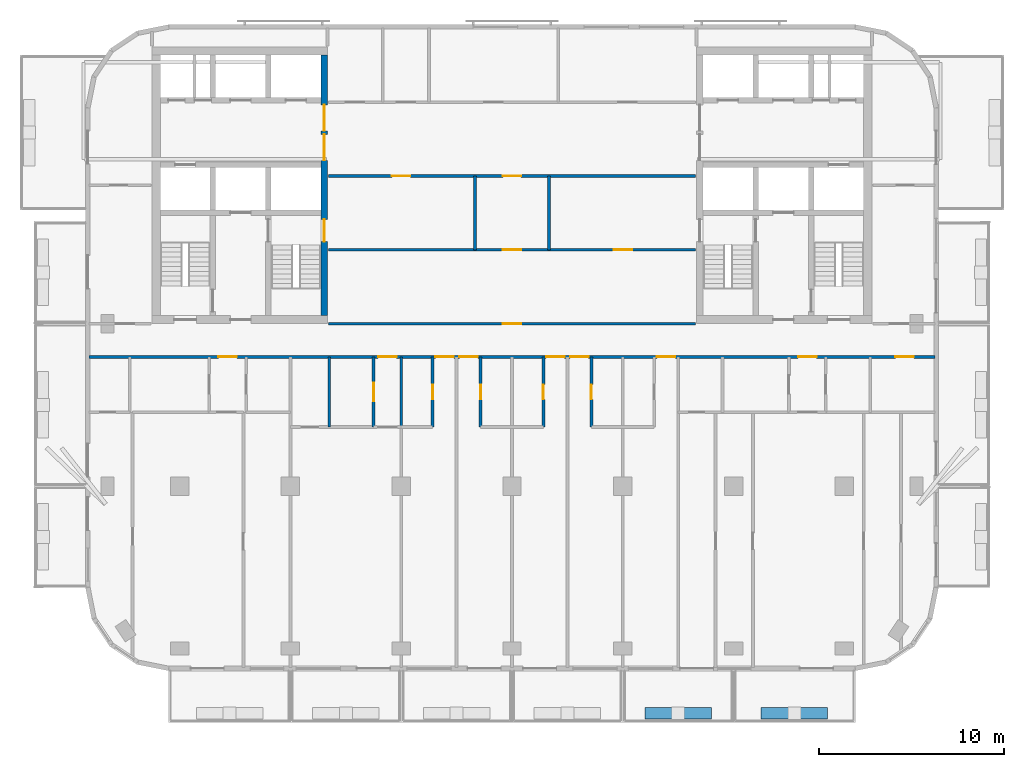
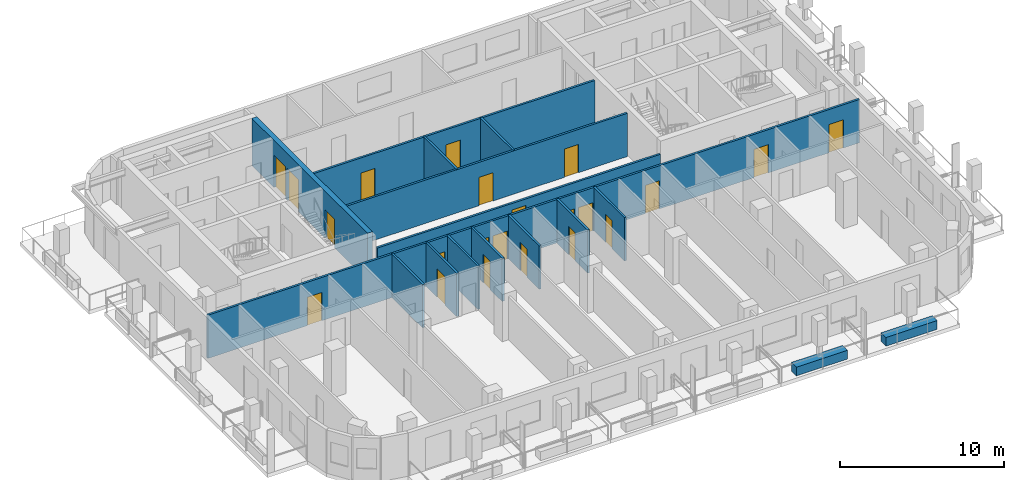
# One storey, part 4 of 11: 22 doors, 16 walls, 22 openings.
"""IFC4 building model written with IfcOpenShell, lengths in metres."""

from ifc_helpers import new_model, si_unit, direction, frame, frame_2d, origin, place, context, subcontext, project, spatial, rectangle, extrude, material, layer, layer_set, type_object, element, fill, save


model = new_model("IFC4")

# Units and contexts
model_context = context("Model", 3, precision=1e-05, world=origin(), true_north=direction((0.0, 1.0)))
body_context = subcontext(model_context, "Body", "Model", "MODEL_VIEW")
ifc_project = project(units=[si_unit("LENGTHUNIT", "METRE"), si_unit("AREAUNIT", "SQUARE_METRE"), si_unit("VOLUMEUNIT", "CUBIC_METRE"), si_unit("PLANEANGLEUNIT", "RADIAN"), si_unit("MASSUNIT", "GRAM", prefix="KILO")], contexts=[model_context])

# Site, building, storey
site_placement = place(None, origin())
site = spatial("IfcSite", under=ifc_project, at=site_placement, CompositionType="ELEMENT")
building_placement = place(site_placement, origin())
building = spatial("IfcBuilding", under=site, at=building_placement, Name="Torana Hotel and Residences", CompositionType="ELEMENT")
storey_placement = place(building_placement, frame((0.0, 0.0, 252.60009765625)))
storey = spatial("IfcBuildingStorey", under=building, at=storey_placement, Name="L66", CompositionType="ELEMENT", Elevation=252.60009765625)

# Wall, openings, doors
ifc_material_1 = material(Name="Concrete C60/75", Category="concrete")
ifc_layer_1 = layer(ifc_material_1, 0.35009765625)
ifc_layer_set_1 = layer_set([ifc_layer_1], Name="CORE WALL 350 C60/75")
wall_type_1 = type_object("IfcWallType", Name="CORE WALL 350 C60/75", PredefinedType="SHEAR", material=ifc_layer_set_1)
wall_1_placement = place(storey_placement, frame((-10.175048828125, -14.550048828125, 0.0), z_axis=(0.0, 0.0, 1.0), x_axis=(0.0, 1.0, 0.0)))
wall_1 = element("IfcWall", 1, at=wall_1_placement, inside=storey, type_object=wall_type_1, Name="Core wall W arch", PredefinedType="SHEAR", context=body_context, shape_type="SweptSolid", body=[
    extrude(rectangle(XDim=14.10009765625, YDim=0.35009765625, at=frame_2d((7.050048828125, 0.0))), origin(), (0.0, 0.0, 1.0), 3.5),
])
opening_1_placement = place(wall_1_placement, frame((8.39990234375, 0.0, 0.0)))
opening_1 = element("IfcOpeningElement", 2, at=opening_1_placement, cuts=wall_1, Name="Opening L66-01", PredefinedType="OPENING", context=body_context, shape_type="SweptSolid", body=[
    extrude(rectangle(XDim=1.39990234375, YDim=2.39990234375, at=frame_2d((0.699951171875, 1.199951171875))), frame((0.0, 0.18505859375, 0.0), z_axis=(0.0, -1.0, 0.0), x_axis=(1.0, 0.0, 0.0)), (0.0, 0.0, 1.0), 0.3701171875),
])
opening_2_placement = place(wall_1_placement, frame((10.0, 0.0, 0.0)))
opening_2 = element("IfcOpeningElement", 3, at=opening_2_placement, cuts=wall_1, Name="Opening L66-02", PredefinedType="OPENING", context=body_context, shape_type="SweptSolid", body=[
    extrude(rectangle(XDim=1.39990234375, YDim=2.39990234375, at=frame_2d((0.699951171875, 1.199951171875))), frame((0.0, 0.18505859375, 0.0), z_axis=(0.0, -1.0, 0.0), x_axis=(1.0, 0.0, 0.0)), (0.0, 0.0, 1.0), 0.3701171875),
])
opening_3_placement = place(wall_1_placement, frame((4.0, 0.0, 0.0)))
opening_3 = element("IfcOpeningElement", 4, at=opening_3_placement, cuts=wall_1, Name="Opening L66-03", PredefinedType="OPENING", context=body_context, shape_type="SweptSolid", body=[
    extrude(rectangle(XDim=1.199951171875, YDim=2.10009765625, at=frame_2d((0.60009765625, 1.050048828125))), frame((0.0, 0.18505859375, 0.0), z_axis=(0.0, -1.0, 0.0), x_axis=(1.0, 0.0, 0.0)), (0.0, 0.0, 1.0), 0.3701171875),
])
ifc_material_2 = material(Name="Steel S235", Category="steel")
door_type_1 = type_object("IfcDoorType", Name="LOBBY FIRE DOOR D4 1400x2400", OperationType="DOUBLE_DOOR_SINGLE_SWING", PredefinedType="DOOR", material=ifc_material_2)
door_1_placement = place(opening_1_placement, origin())
door_1 = element("IfcDoor", 5, at=door_1_placement, inside=storey, type_object=door_type_1, Name="Lobby-1 door L66", OperationType="DOUBLE_DOOR_SINGLE_SWING", OverallHeight=2.39990234375, OverallWidth=1.39990234375, PredefinedType="DOOR", context=body_context, shape_type="SweptSolid", body=[
    extrude(rectangle(XDim=1.39990234375, YDim=2.39990234375, at=frame_2d((0.699951171875, 1.199951171875))), frame((0.0, 0.02490234375, 0.0), z_axis=(0.0, -1.0, 0.0), x_axis=(1.0, 0.0, 0.0)), (0.0, 0.0, 1.0), 0.050048828125),
])
fill(opening_1, door_1)
door_2_placement = place(opening_2_placement, origin())
door_2 = element("IfcDoor", 6, at=door_2_placement, inside=storey, type_object=door_type_1, Name="Lobby-2 door L66", OperationType="DOUBLE_DOOR_SINGLE_SWING", OverallHeight=2.39990234375, OverallWidth=1.39990234375, PredefinedType="DOOR", context=body_context, shape_type="SweptSolid", body=[
    extrude(rectangle(XDim=1.39990234375, YDim=2.39990234375, at=frame_2d((0.699951171875, 1.199951171875))), frame((0.0, 0.02490234375, 0.0), z_axis=(0.0, -1.0, 0.0), x_axis=(1.0, 0.0, 0.0)), (0.0, 0.0, 1.0), 0.050048828125),
])
fill(opening_2, door_2)
ifc_material_3 = material(Name="Steel S235", Category="steel")
door_type_2 = type_object("IfcDoorType", Name="STAIR FIRE DOOR D3 1200x2100", OperationType="SINGLE_SWING_LEFT", PredefinedType="DOOR", material=ifc_material_3)
door_3_placement = place(opening_3_placement, origin())
door_3 = element("IfcDoor", 7, at=door_3_placement, inside=storey, type_object=door_type_2, Name="Stair-A door L66", OperationType="SINGLE_SWING_LEFT", OverallHeight=2.10009765625, OverallWidth=1.199951171875, PredefinedType="DOOR", context=body_context, shape_type="SweptSolid", body=[
    extrude(rectangle(XDim=1.199951171875, YDim=2.10009765625, at=frame_2d((0.60009765625, 1.050048828125))), frame((0.0, 0.02490234375, 0.0), z_axis=(0.0, -1.0, 0.0), x_axis=(1.0, 0.0, 0.0)), (0.0, 0.0, 1.0), 0.050048828125),
])
fill(opening_3, door_3)

# Walls
ifc_material_4 = material(Name="Gypsum plaster")
ifc_layer_2 = layer(ifc_material_4, 0.014892578125, Name="Plaster", Category="finish")
ifc_material_5 = material(Name="Concrete blockwork", Category="masonry")
ifc_layer_3 = layer(ifc_material_5, 0.1201171875, Name="Blockwork", Category="structure")
ifc_layer_4 = layer(ifc_material_4, 0.014892578125, Name="Plaster", Category="finish")
ifc_layer_set_2 = layer_set([ifc_layer_2, ifc_layer_3, ifc_layer_4], Name="FIRE PARTITION 150 BLOCKWORK")
wall_type_2 = type_object("IfcWallType", Name="FIRE PARTITION 150 BLOCKWORK", PredefinedType="PARTITIONING", material=ifc_layer_set_2)
for number, where, z_axis, x_axis, name in (
    (8, (2.0, -11.0, 0.0), (0.0, 0.0, 1.0), (0.0, 1.0, 0.0), "Partition L66"),
    (9, (-2.0, -11.0, 0.0), (0.0, 0.0, 1.0), (0.0, 1.0, 0.0), "Partition L66"),
):
    element("IfcWall", number, at=place(storey_placement, frame(where, z_axis=z_axis, x_axis=x_axis)), inside=storey, type_object=wall_type_2, Name=name, PredefinedType="PARTITIONING", context=body_context, shape_type="SweptSolid", body=[
        extrude(rectangle(XDim=4.0, YDim=0.14990234375, at=frame_2d((2.0, 0.0))), origin(), (0.0, 0.0, 1.0), 3.219970703125),
    ])
wall_2_placement = place(storey_placement, frame((-6.0, -20.60009765625, 0.0), z_axis=(0.0, 0.0, 1.0), x_axis=(0.0, 1.0, 0.0)))
element("IfcWall", 10, at=wall_2_placement, inside=storey, type_object=wall_type_2, Name="Partition L66", PredefinedType="PARTITIONING", context=body_context, shape_type="SweptSolid", body=[
    extrude(rectangle(XDim=3.800048828125, YDim=0.14990234375, at=frame_2d((1.89990234375, 0.0))), origin(), (0.0, 0.0, 1.0), 3.219970703125),
])

# Wall, opening, door
wall_3_placement = place(storey_placement, frame((-7.5, -20.60009765625, 0.0), z_axis=(0.0, 0.0, 1.0), x_axis=(0.0, 1.0, 0.0)))
wall_3 = element("IfcWall", 11, at=wall_3_placement, inside=storey, type_object=wall_type_2, Name="Partition L66", PredefinedType="PARTITIONING", context=body_context, shape_type="SweptSolid", body=[
    extrude(rectangle(XDim=3.800048828125, YDim=0.14990234375, at=frame_2d((1.89990234375, 0.0))), origin(), (0.0, 0.0, 1.0), 3.219970703125),
])
opening_4_placement = place(wall_3_placement, frame((1.39990234375, 0.0, 0.0)))
opening_4 = element("IfcOpeningElement", 12, at=opening_4_placement, cuts=wall_3, Name="Opening L66-40", PredefinedType="OPENING", context=body_context, shape_type="SweptSolid", body=[
    extrude(rectangle(XDim=1.0, YDim=2.10009765625, at=frame_2d((0.5, 1.050048828125))), frame((0.0, 0.0849609375, 0.0), z_axis=(0.0, -1.0, 0.0), x_axis=(1.0, 0.0, 0.0)), (0.0, 0.0, 1.0), 0.169921875),
])
ifc_material_6 = material(Name="Steel S235", Category="steel")
door_type_3 = type_object("IfcDoorType", Name="ENTRY FIRE DOOR D6 1000x2100", OperationType="SINGLE_SWING_LEFT", PredefinedType="DOOR", material=ifc_material_6)
door_4_placement = place(opening_4_placement, origin())
door_4 = element("IfcDoor", 13, at=door_4_placement, inside=storey, type_object=door_type_3, Name="Door L66", OperationType="SINGLE_SWING_RIGHT", OverallHeight=2.10009765625, OverallWidth=1.0, PredefinedType="DOOR", context=body_context, shape_type="SweptSolid", body=[
    extrude(rectangle(XDim=1.0, YDim=2.10009765625, at=frame_2d((0.5, 1.050048828125))), frame((0.0, 0.02490234375, 0.0), z_axis=(0.0, -1.0, 0.0), x_axis=(1.0, 0.0, 0.0)), (0.0, 0.0, 1.0), 0.050048828125),
])
fill(opening_4, door_4)

# Wall, openings, doors
wall_4_placement = place(storey_placement, frame((-22.919921875, -16.800048828125, 0.0), z_axis=(0.0, 0.0, 1.0), x_axis=(1.0, 0.0, 0.0)))
wall_4 = element("IfcWall", 14, at=wall_4_placement, inside=storey, type_object=wall_type_2, Name="Partition L66", PredefinedType="PARTITIONING", context=body_context, shape_type="SweptSolid", body=[
    extrude(rectangle(XDim=45.83984375, YDim=0.14990234375, at=frame_2d((22.919921875, 0.0))), origin(), (0.0, 0.0, 1.0), 3.219970703125),
])
opening_5_placement = place(wall_4_placement, frame((15.669921875, 0.0, 0.0)))
opening_5 = element("IfcOpeningElement", 15, at=opening_5_placement, cuts=wall_4, Name="Opening L66-20", PredefinedType="OPENING", context=body_context, shape_type="SweptSolid", body=[
    extrude(rectangle(XDim=1.0, YDim=2.10009765625, at=frame_2d((0.5, 1.050048828125))), frame((0.0, 0.0849609375, 0.0), z_axis=(0.0, -1.0, 0.0), x_axis=(1.0, 0.0, 0.0)), (0.0, 0.0, 1.0), 0.169921875),
])
opening_6_placement = place(wall_4_placement, frame((18.77001953125, 0.0, 0.0)))
opening_6 = element("IfcOpeningElement", 16, at=opening_6_placement, cuts=wall_4, Name="Opening L66-21", PredefinedType="OPENING", context=body_context, shape_type="SweptSolid", body=[
    extrude(rectangle(XDim=1.0, YDim=2.10009765625, at=frame_2d((0.5, 1.050048828125))), frame((0.0, 0.0849609375, 0.0), z_axis=(0.0, -1.0, 0.0), x_axis=(1.0, 0.0, 0.0)), (0.0, 0.0, 1.0), 0.169921875),
])
opening_7_placement = place(wall_4_placement, frame((20.070068359375, 0.0, 0.0)))
opening_7 = element("IfcOpeningElement", 17, at=opening_7_placement, cuts=wall_4, Name="Opening L66-22", PredefinedType="OPENING", context=body_context, shape_type="SweptSolid", body=[
    extrude(rectangle(XDim=1.0, YDim=2.10009765625, at=frame_2d((0.5, 1.050048828125))), frame((0.0, 0.0849609375, 0.0), z_axis=(0.0, -1.0, 0.0), x_axis=(1.0, 0.0, 0.0)), (0.0, 0.0, 1.0), 0.169921875),
])
opening_8_placement = place(wall_4_placement, frame((24.77001953125, 0.0, 0.0)))
opening_8 = element("IfcOpeningElement", 18, at=opening_8_placement, cuts=wall_4, Name="Opening L66-23", PredefinedType="OPENING", context=body_context, shape_type="SweptSolid", body=[
    extrude(rectangle(XDim=1.0, YDim=2.10009765625, at=frame_2d((0.5, 1.050048828125))), frame((0.0, 0.0849609375, 0.0), z_axis=(0.0, -1.0, 0.0), x_axis=(1.0, 0.0, 0.0)), (0.0, 0.0, 1.0), 0.169921875),
])
opening_9_placement = place(wall_4_placement, frame((26.070068359375, 0.0, 0.0)))
opening_9 = element("IfcOpeningElement", 19, at=opening_9_placement, cuts=wall_4, Name="Opening L66-24", PredefinedType="OPENING", context=body_context, shape_type="SweptSolid", body=[
    extrude(rectangle(XDim=1.0, YDim=2.10009765625, at=frame_2d((0.5, 1.050048828125))), frame((0.0, 0.0849609375, 0.0), z_axis=(0.0, -1.0, 0.0), x_axis=(1.0, 0.0, 0.0)), (0.0, 0.0, 1.0), 0.169921875),
])
opening_10_placement = place(wall_4_placement, frame((30.77001953125, 0.0, 0.0)))
opening_10 = element("IfcOpeningElement", 20, at=opening_10_placement, cuts=wall_4, Name="Opening L66-25", PredefinedType="OPENING", context=body_context, shape_type="SweptSolid", body=[
    extrude(rectangle(XDim=1.0, YDim=2.10009765625, at=frame_2d((0.5, 1.050048828125))), frame((0.0, 0.0849609375, 0.0), z_axis=(0.0, -1.0, 0.0), x_axis=(1.0, 0.0, 0.0)), (0.0, 0.0, 1.0), 0.169921875),
])
opening_11_placement = place(wall_4_placement, frame((7.02001953125, 0.0, 0.0)))
opening_11 = element("IfcOpeningElement", 21, at=opening_11_placement, cuts=wall_4, Name="Opening L66-26", PredefinedType="OPENING", context=body_context, shape_type="SweptSolid", body=[
    extrude(rectangle(XDim=1.0, YDim=2.10009765625, at=frame_2d((0.5, 1.050048828125))), frame((0.0, 0.0849609375, 0.0), z_axis=(0.0, -1.0, 0.0), x_axis=(1.0, 0.0, 0.0)), (0.0, 0.0, 1.0), 0.169921875),
])
opening_12_placement = place(wall_4_placement, frame((38.419921875, 0.0, 0.0)))
opening_12 = element("IfcOpeningElement", 22, at=opening_12_placement, cuts=wall_4, Name="Opening L66-27", PredefinedType="OPENING", context=body_context, shape_type="SweptSolid", body=[
    extrude(rectangle(XDim=1.0, YDim=2.10009765625, at=frame_2d((0.5, 1.050048828125))), frame((0.0, 0.0849609375, 0.0), z_axis=(0.0, -1.0, 0.0), x_axis=(1.0, 0.0, 0.0)), (0.0, 0.0, 1.0), 0.169921875),
])
opening_13_placement = place(wall_4_placement, frame((43.68994140625, 0.0, 0.0)))
opening_13 = element("IfcOpeningElement", 23, at=opening_13_placement, cuts=wall_4, Name="Opening L66-28", PredefinedType="OPENING", context=body_context, shape_type="SweptSolid", body=[
    extrude(rectangle(XDim=1.0, YDim=2.10009765625, at=frame_2d((0.5, 1.050048828125))), frame((0.0, 0.0849609375, 0.0), z_axis=(0.0, -1.0, 0.0), x_axis=(1.0, 0.0, 0.0)), (0.0, 0.0, 1.0), 0.169921875),
])
door_5_placement = place(opening_5_placement, origin())
door_5 = element("IfcDoor", 24, at=door_5_placement, inside=storey, type_object=door_type_3, Name="Door L66", OperationType="SINGLE_SWING_RIGHT", OverallHeight=2.10009765625, OverallWidth=1.0, PredefinedType="DOOR", context=body_context, shape_type="SweptSolid", body=[
    extrude(rectangle(XDim=1.0, YDim=2.10009765625, at=frame_2d((0.5, 1.050048828125))), frame((0.0, 0.02490234375, 0.0), z_axis=(0.0, -1.0, 0.0), x_axis=(1.0, 0.0, 0.0)), (0.0, 0.0, 1.0), 0.050048828125),
])
fill(opening_5, door_5)
door_6_placement = place(opening_6_placement, frame((0.5, 0.0, 0.0), z_axis=(0.0, 0.0, 1.0), x_axis=(-1.0, 0.0, 0.0)))
door_6 = element("IfcDoor", 25, at=door_6_placement, inside=storey, type_object=door_type_3, Name="Door L66", OperationType="SINGLE_SWING_LEFT", OverallHeight=2.10009765625, OverallWidth=1.0, PredefinedType="DOOR", context=body_context, shape_type="SweptSolid", body=[
    extrude(rectangle(XDim=1.0, YDim=2.10009765625, at=frame_2d((0.0, 1.050048828125))), frame((0.0, -0.02490234375, 0.0), z_axis=(0.0, 1.0, 0.0), x_axis=(-1.0, 0.0, 0.0)), (0.0, 0.0, 1.0), 0.050048828125),
])
fill(opening_6, door_6)
door_7_placement = place(opening_7_placement, frame((0.5, 0.0, 0.0), z_axis=(0.0, 0.0, 1.0), x_axis=(-1.0, 0.0, 0.0)))
door_7 = element("IfcDoor", 26, at=door_7_placement, inside=storey, type_object=door_type_3, Name="Door L66", OperationType="SINGLE_SWING_LEFT", OverallHeight=2.10009765625, OverallWidth=1.0, PredefinedType="DOOR", context=body_context, shape_type="SweptSolid", body=[
    extrude(rectangle(XDim=1.0, YDim=2.10009765625, at=frame_2d((0.0, 1.050048828125))), frame((0.0, -0.02490234375, 0.0), z_axis=(0.0, 1.0, 0.0), x_axis=(-1.0, 0.0, 0.0)), (0.0, 0.0, 1.0), 0.050048828125),
])
fill(opening_7, door_7)
door_8_placement = place(opening_8_placement, frame((0.5, 0.0, 0.0), z_axis=(0.0, 0.0, 1.0), x_axis=(-1.0, 0.0, 0.0)))
door_8 = element("IfcDoor", 27, at=door_8_placement, inside=storey, type_object=door_type_3, Name="Door L66", OperationType="SINGLE_SWING_LEFT", OverallHeight=2.10009765625, OverallWidth=1.0, PredefinedType="DOOR", context=body_context, shape_type="SweptSolid", body=[
    extrude(rectangle(XDim=1.0, YDim=2.10009765625, at=frame_2d((0.0, 1.050048828125))), frame((0.0, -0.02490234375, 0.0), z_axis=(0.0, 1.0, 0.0), x_axis=(-1.0, 0.0, 0.0)), (0.0, 0.0, 1.0), 0.050048828125),
])
fill(opening_8, door_8)
door_9_placement = place(opening_9_placement, frame((0.5, 0.0, 0.0), z_axis=(0.0, 0.0, 1.0), x_axis=(-1.0, 0.0, 0.0)))
door_9 = element("IfcDoor", 28, at=door_9_placement, inside=storey, type_object=door_type_3, Name="Door L66", OperationType="SINGLE_SWING_LEFT", OverallHeight=2.10009765625, OverallWidth=1.0, PredefinedType="DOOR", context=body_context, shape_type="SweptSolid", body=[
    extrude(rectangle(XDim=1.0, YDim=2.10009765625, at=frame_2d((0.0, 1.050048828125))), frame((0.0, -0.02490234375, 0.0), z_axis=(0.0, 1.0, 0.0), x_axis=(-1.0, 0.0, 0.0)), (0.0, 0.0, 1.0), 0.050048828125),
])
fill(opening_9, door_9)
door_10_placement = place(opening_10_placement, frame((0.5, 0.0, 0.0), z_axis=(0.0, 0.0, 1.0), x_axis=(-1.0, 0.0, 0.0)))
door_10 = element("IfcDoor", 29, at=door_10_placement, inside=storey, type_object=door_type_3, Name="Door L66", OperationType="SINGLE_SWING_LEFT", OverallHeight=2.10009765625, OverallWidth=1.0, PredefinedType="DOOR", context=body_context, shape_type="SweptSolid", body=[
    extrude(rectangle(XDim=1.0, YDim=2.10009765625, at=frame_2d((0.0, 1.050048828125))), frame((0.0, -0.02490234375, 0.0), z_axis=(0.0, 1.0, 0.0), x_axis=(-1.0, 0.0, 0.0)), (0.0, 0.0, 1.0), 0.050048828125),
])
fill(opening_10, door_10)
door_11_placement = place(opening_11_placement, origin())
door_11 = element("IfcDoor", 30, at=door_11_placement, inside=storey, type_object=door_type_3, Name="Door L66", OperationType="SINGLE_SWING_RIGHT", OverallHeight=2.10009765625, OverallWidth=1.0, PredefinedType="DOOR", context=body_context, shape_type="SweptSolid", body=[
    extrude(rectangle(XDim=1.0, YDim=2.10009765625, at=frame_2d((0.5, 1.050048828125))), frame((0.0, 0.02490234375, 0.0), z_axis=(0.0, -1.0, 0.0), x_axis=(1.0, 0.0, 0.0)), (0.0, 0.0, 1.0), 0.050048828125),
])
fill(opening_11, door_11)
door_12_placement = place(opening_12_placement, origin())
door_12 = element("IfcDoor", 31, at=door_12_placement, inside=storey, type_object=door_type_3, Name="Door L66", OperationType="SINGLE_SWING_RIGHT", OverallHeight=2.10009765625, OverallWidth=1.0, PredefinedType="DOOR", context=body_context, shape_type="SweptSolid", body=[
    extrude(rectangle(XDim=1.0, YDim=2.10009765625, at=frame_2d((0.5, 1.050048828125))), frame((0.0, 0.02490234375, 0.0), z_axis=(0.0, -1.0, 0.0), x_axis=(1.0, 0.0, 0.0)), (0.0, 0.0, 1.0), 0.050048828125),
])
fill(opening_12, door_12)
door_13_placement = place(opening_13_placement, frame((0.5, 0.0, 0.0), z_axis=(0.0, 0.0, 1.0), x_axis=(-1.0, 0.0, 0.0)))
door_13 = element("IfcDoor", 32, at=door_13_placement, inside=storey, type_object=door_type_3, Name="Door L66", OperationType="SINGLE_SWING_RIGHT", OverallHeight=2.10009765625, OverallWidth=1.0, PredefinedType="DOOR", context=body_context, shape_type="SweptSolid", body=[
    extrude(rectangle(XDim=1.0, YDim=2.10009765625, at=frame_2d((0.0, 1.050048828125))), frame((0.0, -0.02490234375, 0.0), z_axis=(0.0, 1.0, 0.0), x_axis=(-1.0, 0.0, 0.0)), (0.0, 0.0, 1.0), 0.050048828125),
])
fill(opening_13, door_13)

# Wall, opening, door
wall_5_placement = place(storey_placement, frame((-9.949951171875, -15.0, 0.0), z_axis=(0.0, 0.0, 1.0), x_axis=(1.0, 0.0, 0.0)))
wall_5 = element("IfcWall", 33, at=wall_5_placement, inside=storey, type_object=wall_type_2, Name="Partition L66", PredefinedType="PARTITIONING", context=body_context, shape_type="SweptSolid", body=[
    extrude(rectangle(XDim=19.89990234375, YDim=0.14990234375, at=frame_2d((9.949951171875, 0.0))), origin(), (0.0, 0.0, 1.0), 2.583984375),
])
opening_14_placement = place(wall_5_placement, frame((9.449951171875, 0.0, 0.0)))
opening_14 = element("IfcOpeningElement", 34, at=opening_14_placement, cuts=wall_5, Name="Opening L66-19", PredefinedType="OPENING", context=body_context, shape_type="SweptSolid", body=[
    extrude(rectangle(XDim=1.0, YDim=2.10009765625, at=frame_2d((0.5, 1.050048828125))), frame((0.0, 0.0849609375, 0.0), z_axis=(0.0, -1.0, 0.0), x_axis=(1.0, 0.0, 0.0)), (0.0, 0.0, 1.0), 0.169921875),
])
door_14_placement = place(opening_14_placement, origin())
door_14 = element("IfcDoor", 35, at=door_14_placement, inside=storey, type_object=door_type_3, Name="Door L66", OperationType="SINGLE_SWING_RIGHT", OverallHeight=2.10009765625, OverallWidth=1.0, PredefinedType="DOOR", context=body_context, shape_type="SweptSolid", body=[
    extrude(rectangle(XDim=1.0, YDim=2.10009765625, at=frame_2d((0.5, 1.050048828125))), frame((0.0, 0.02490234375, 0.0), z_axis=(0.0, -1.0, 0.0), x_axis=(1.0, 0.0, 0.0)), (0.0, 0.0, 1.0), 0.050048828125),
])
fill(opening_14, door_14)

# Wall, openings, doors
wall_6_placement = place(storey_placement, frame((-9.949951171875, -11.0, 0.0), z_axis=(0.0, 0.0, 1.0), x_axis=(1.0, 0.0, 0.0)))
wall_6 = element("IfcWall", 36, at=wall_6_placement, inside=storey, type_object=wall_type_2, Name="Partition L66", PredefinedType="PARTITIONING", context=body_context, shape_type="SweptSolid", body=[
    extrude(rectangle(XDim=19.89990234375, YDim=0.14990234375, at=frame_2d((9.949951171875, 0.0))), origin(), (0.0, 0.0, 1.0), 3.219970703125),
])
opening_15_placement = place(wall_6_placement, frame((9.449951171875, 0.0, 0.0)))
opening_15 = element("IfcOpeningElement", 37, at=opening_15_placement, cuts=wall_6, Name="Opening L66-31", PredefinedType="OPENING", context=body_context, shape_type="SweptSolid", body=[
    extrude(rectangle(XDim=1.0, YDim=2.10009765625, at=frame_2d((0.5, 1.050048828125))), frame((0.0, 0.0849609375, 0.0), z_axis=(0.0, -1.0, 0.0), x_axis=(1.0, 0.0, 0.0)), (0.0, 0.0, 1.0), 0.169921875),
])
opening_16_placement = place(wall_6_placement, frame((15.449951171875, 0.0, 0.0)))
opening_16 = element("IfcOpeningElement", 38, at=opening_16_placement, cuts=wall_6, Name="Opening L66-32", PredefinedType="OPENING", context=body_context, shape_type="SweptSolid", body=[
    extrude(rectangle(XDim=1.0, YDim=2.10009765625, at=frame_2d((0.5, 1.050048828125))), frame((0.0, 0.0849609375, 0.0), z_axis=(0.0, -1.0, 0.0), x_axis=(1.0, 0.0, 0.0)), (0.0, 0.0, 1.0), 0.169921875),
])
door_15_placement = place(opening_15_placement, origin())
door_15 = element("IfcDoor", 39, at=door_15_placement, inside=storey, type_object=door_type_3, Name="Door L66", OperationType="SINGLE_SWING_RIGHT", OverallHeight=2.10009765625, OverallWidth=1.0, PredefinedType="DOOR", context=body_context, shape_type="SweptSolid", body=[
    extrude(rectangle(XDim=1.0, YDim=2.10009765625, at=frame_2d((0.5, 1.050048828125))), frame((0.0, 0.02490234375, 0.0), z_axis=(0.0, -1.0, 0.0), x_axis=(1.0, 0.0, 0.0)), (0.0, 0.0, 1.0), 0.050048828125),
])
fill(opening_15, door_15)
door_16_placement = place(opening_16_placement, origin())
door_16 = element("IfcDoor", 40, at=door_16_placement, inside=storey, type_object=door_type_3, Name="Door L66", OperationType="SINGLE_SWING_RIGHT", OverallHeight=2.10009765625, OverallWidth=1.0, PredefinedType="DOOR", context=body_context, shape_type="SweptSolid", body=[
    extrude(rectangle(XDim=1.0, YDim=2.10009765625, at=frame_2d((0.5, 1.050048828125))), frame((0.0, 0.02490234375, 0.0), z_axis=(0.0, -1.0, 0.0), x_axis=(1.0, 0.0, 0.0)), (0.0, 0.0, 1.0), 0.050048828125),
])
fill(opening_16, door_16)

wall_7_placement = place(storey_placement, frame((-9.949951171875, -7.0, 0.0), z_axis=(0.0, 0.0, 1.0), x_axis=(1.0, 0.0, 0.0)))
wall_7 = element("IfcWall", 41, at=wall_7_placement, inside=storey, type_object=wall_type_2, Name="Partition L66", PredefinedType="PARTITIONING", context=body_context, shape_type="SweptSolid", body=[
    extrude(rectangle(XDim=19.89990234375, YDim=0.14990234375, at=frame_2d((9.949951171875, 0.0))), origin(), (0.0, 0.0, 1.0), 3.219970703125),
])
opening_17_placement = place(wall_7_placement, frame((9.449951171875, 0.0, 0.0)))
opening_17 = element("IfcOpeningElement", 42, at=opening_17_placement, cuts=wall_7, Name="Opening L66-33", PredefinedType="OPENING", context=body_context, shape_type="SweptSolid", body=[
    extrude(rectangle(XDim=1.0, YDim=2.10009765625, at=frame_2d((0.5, 1.050048828125))), frame((0.0, 0.0849609375, 0.0), z_axis=(0.0, -1.0, 0.0), x_axis=(1.0, 0.0, 0.0)), (0.0, 0.0, 1.0), 0.169921875),
])
opening_18_placement = place(wall_7_placement, frame((3.449951171875, 0.0, 0.0)))
opening_18 = element("IfcOpeningElement", 43, at=opening_18_placement, cuts=wall_7, Name="Opening L66-34", PredefinedType="OPENING", context=body_context, shape_type="SweptSolid", body=[
    extrude(rectangle(XDim=1.0, YDim=2.10009765625, at=frame_2d((0.5, 1.050048828125))), frame((0.0, 0.0849609375, 0.0), z_axis=(0.0, -1.0, 0.0), x_axis=(1.0, 0.0, 0.0)), (0.0, 0.0, 1.0), 0.169921875),
])
door_17_placement = place(opening_17_placement, origin())
door_17 = element("IfcDoor", 44, at=door_17_placement, inside=storey, type_object=door_type_3, Name="Door L66", OperationType="SINGLE_SWING_RIGHT", OverallHeight=2.10009765625, OverallWidth=1.0, PredefinedType="DOOR", context=body_context, shape_type="SweptSolid", body=[
    extrude(rectangle(XDim=1.0, YDim=2.10009765625, at=frame_2d((0.5, 1.050048828125))), frame((0.0, 0.02490234375, 0.0), z_axis=(0.0, -1.0, 0.0), x_axis=(1.0, 0.0, 0.0)), (0.0, 0.0, 1.0), 0.050048828125),
])
fill(opening_17, door_17)
door_18_placement = place(opening_18_placement, frame((0.5, 0.0, 0.0), z_axis=(0.0, 0.0, 1.0), x_axis=(-1.0, 0.0, 0.0)))
door_18 = element("IfcDoor", 45, at=door_18_placement, inside=storey, type_object=door_type_3, Name="Door L66", OperationType="SINGLE_SWING_LEFT", OverallHeight=2.10009765625, OverallWidth=1.0, PredefinedType="DOOR", context=body_context, shape_type="SweptSolid", body=[
    extrude(rectangle(XDim=1.0, YDim=2.10009765625, at=frame_2d((0.0, 1.050048828125))), frame((0.0, -0.02490234375, 0.0), z_axis=(0.0, 1.0, 0.0), x_axis=(-1.0, 0.0, 0.0)), (0.0, 0.0, 1.0), 0.050048828125),
])
fill(opening_18, door_18)

# Wall, opening, door
ifc_material_7 = material(Name="Gypsum plasterboard")
ifc_layer_5 = layer(ifc_material_7, 0.012451171875, Name="Plasterboard", Category="finish")
ifc_layer_6 = layer(ifc_material_7, 0.012451171875, Name="Plasterboard", Category="finish")
ifc_material_8 = material(Name="Steel S280GD", Category="steel")
ifc_layer_7 = layer(ifc_material_8, 0.10009765625, Name="Steel studs with mineral wool", Category="insulation")
ifc_layer_8 = layer(ifc_material_7, 0.012451171875, Name="Plasterboard", Category="finish")
ifc_layer_9 = layer(ifc_material_7, 0.012451171875, Name="Plasterboard", Category="finish")
ifc_layer_set_3 = layer_set([ifc_layer_5, ifc_layer_6, ifc_layer_7, ifc_layer_8, ifc_layer_9], Name="PARTITION 150 PLASTERBOARD")
wall_type_3 = type_object("IfcWallType", Name="PARTITION 150 PLASTERBOARD", PredefinedType="PARTITIONING", material=ifc_layer_set_3)
wall_8_placement = place(storey_placement, frame((4.300048828125, -20.60009765625, 0.0), z_axis=(0.0, 0.0, 1.0), x_axis=(0.0, 1.0, 0.0)))
wall_8 = element("IfcWall", 46, at=wall_8_placement, inside=storey, type_object=wall_type_3, Name="Partition L66", PredefinedType="PARTITIONING", context=body_context, shape_type="SweptSolid", body=[
    extrude(rectangle(XDim=3.800048828125, YDim=0.14990234375, at=frame_2d((1.89990234375, 0.0))), origin(), (0.0, 0.0, 1.0), 3.219970703125),
])
opening_19_placement = place(wall_8_placement, frame((1.5, 0.0, 0.0)))
opening_19 = element("IfcOpeningElement", 47, at=opening_19_placement, cuts=wall_8, Name="Opening L66-45", PredefinedType="OPENING", context=body_context, shape_type="SweptSolid", body=[
    extrude(rectangle(XDim=0.800048828125, YDim=2.10009765625, at=frame_2d((0.39990234375, 1.050048828125))), frame((0.0, 0.0849609375, 0.0), z_axis=(0.0, -1.0, 0.0), x_axis=(1.0, 0.0, 0.0)), (0.0, 0.0, 1.0), 0.169921875),
])
ifc_material_9 = material(Name="Timber door, painted", Category="wood")
door_type_4 = type_object("IfcDoorType", Name="BATH DOOR D13 800x2100", OperationType="SINGLE_SWING_LEFT", PredefinedType="DOOR", material=ifc_material_9)
door_19_placement = place(opening_19_placement, origin())
door_19 = element("IfcDoor", 48, at=door_19_placement, inside=storey, type_object=door_type_4, Name="Door L66", OperationType="SINGLE_SWING_RIGHT", OverallHeight=2.10009765625, OverallWidth=0.800048828125, PredefinedType="DOOR", context=body_context, shape_type="SweptSolid", body=[
    extrude(rectangle(XDim=0.800048828125, YDim=2.10009765625, at=frame_2d((0.39990234375, 1.050048828125))), frame((0.0, 0.02490234375, 0.0), z_axis=(0.0, -1.0, 0.0), x_axis=(1.0, 0.0, 0.0)), (0.0, 0.0, 1.0), 0.050048828125),
])
fill(opening_19, door_19)

wall_9_placement = place(storey_placement, frame((1.699951171875, -20.60009765625, 0.0), z_axis=(0.0, 0.0, 1.0), x_axis=(0.0, 1.0, 0.0)))
wall_9 = element("IfcWall", 49, at=wall_9_placement, inside=storey, type_object=wall_type_3, Name="Partition L66", PredefinedType="PARTITIONING", context=body_context, shape_type="SweptSolid", body=[
    extrude(rectangle(XDim=3.800048828125, YDim=0.14990234375, at=frame_2d((1.89990234375, 0.0))), origin(), (0.0, 0.0, 1.0), 3.219970703125),
])
opening_20_placement = place(wall_9_placement, frame((1.5, 0.0, 0.0)))
opening_20 = element("IfcOpeningElement", 50, at=opening_20_placement, cuts=wall_9, Name="Opening L66-44", PredefinedType="OPENING", context=body_context, shape_type="SweptSolid", body=[
    extrude(rectangle(XDim=0.800048828125, YDim=2.10009765625, at=frame_2d((0.39990234375, 1.050048828125))), frame((0.0, 0.0849609375, 0.0), z_axis=(0.0, -1.0, 0.0), x_axis=(1.0, 0.0, 0.0)), (0.0, 0.0, 1.0), 0.169921875),
])
door_20_placement = place(opening_20_placement, origin())
door_20 = element("IfcDoor", 51, at=door_20_placement, inside=storey, type_object=door_type_4, Name="Door L66", OperationType="SINGLE_SWING_RIGHT", OverallHeight=2.10009765625, OverallWidth=0.800048828125, PredefinedType="DOOR", context=body_context, shape_type="SweptSolid", body=[
    extrude(rectangle(XDim=0.800048828125, YDim=2.10009765625, at=frame_2d((0.39990234375, 1.050048828125))), frame((0.0, 0.02490234375, 0.0), z_axis=(0.0, -1.0, 0.0), x_axis=(1.0, 0.0, 0.0)), (0.0, 0.0, 1.0), 0.050048828125),
])
fill(opening_20, door_20)

wall_10_placement = place(storey_placement, frame((-1.699951171875, -20.60009765625, 0.0), z_axis=(0.0, 0.0, 1.0), x_axis=(0.0, 1.0, 0.0)))
wall_10 = element("IfcWall", 52, at=wall_10_placement, inside=storey, type_object=wall_type_3, Name="Partition L66", PredefinedType="PARTITIONING", context=body_context, shape_type="SweptSolid", body=[
    extrude(rectangle(XDim=3.800048828125, YDim=0.14990234375, at=frame_2d((1.89990234375, 0.0))), origin(), (0.0, 0.0, 1.0), 3.219970703125),
])
opening_21_placement = place(wall_10_placement, frame((1.5, 0.0, 0.0)))
opening_21 = element("IfcOpeningElement", 53, at=opening_21_placement, cuts=wall_10, Name="Opening L66-43", PredefinedType="OPENING", context=body_context, shape_type="SweptSolid", body=[
    extrude(rectangle(XDim=0.800048828125, YDim=2.10009765625, at=frame_2d((0.39990234375, 1.050048828125))), frame((0.0, 0.0849609375, 0.0), z_axis=(0.0, -1.0, 0.0), x_axis=(1.0, 0.0, 0.0)), (0.0, 0.0, 1.0), 0.169921875),
])
door_21_placement = place(opening_21_placement, origin())
door_21 = element("IfcDoor", 54, at=door_21_placement, inside=storey, type_object=door_type_4, Name="Door L66", OperationType="SINGLE_SWING_RIGHT", OverallHeight=2.10009765625, OverallWidth=0.800048828125, PredefinedType="DOOR", context=body_context, shape_type="SweptSolid", body=[
    extrude(rectangle(XDim=0.800048828125, YDim=2.10009765625, at=frame_2d((0.39990234375, 1.050048828125))), frame((0.0, 0.02490234375, 0.0), z_axis=(0.0, -1.0, 0.0), x_axis=(1.0, 0.0, 0.0)), (0.0, 0.0, 1.0), 0.050048828125),
])
fill(opening_21, door_21)

wall_11_placement = place(storey_placement, frame((-4.300048828125, -20.60009765625, 0.0), z_axis=(0.0, 0.0, 1.0), x_axis=(0.0, 1.0, 0.0)))
wall_11 = element("IfcWall", 55, at=wall_11_placement, inside=storey, type_object=wall_type_3, Name="Partition L66", PredefinedType="PARTITIONING", context=body_context, shape_type="SweptSolid", body=[
    extrude(rectangle(XDim=3.800048828125, YDim=0.14990234375, at=frame_2d((1.89990234375, 0.0))), origin(), (0.0, 0.0, 1.0), 3.219970703125),
])
opening_22_placement = place(wall_11_placement, frame((1.5, 0.0, 0.0)))
opening_22 = element("IfcOpeningElement", 56, at=opening_22_placement, cuts=wall_11, Name="Opening L66-42", PredefinedType="OPENING", context=body_context, shape_type="SweptSolid", body=[
    extrude(rectangle(XDim=0.800048828125, YDim=2.10009765625, at=frame_2d((0.39990234375, 1.050048828125))), frame((0.0, 0.0849609375, 0.0), z_axis=(0.0, -1.0, 0.0), x_axis=(1.0, 0.0, 0.0)), (0.0, 0.0, 1.0), 0.169921875),
])
door_22_placement = place(opening_22_placement, origin())
door_22 = element("IfcDoor", 57, at=door_22_placement, inside=storey, type_object=door_type_4, Name="Door L66", OperationType="SINGLE_SWING_RIGHT", OverallHeight=2.10009765625, OverallWidth=0.800048828125, PredefinedType="DOOR", context=body_context, shape_type="SweptSolid", body=[
    extrude(rectangle(XDim=0.800048828125, YDim=2.10009765625, at=frame_2d((0.39990234375, 1.050048828125))), frame((0.0, 0.02490234375, 0.0), z_axis=(0.0, -1.0, 0.0), x_axis=(1.0, 0.0, 0.0)), (0.0, 0.0, 1.0), 0.050048828125),
])
fill(opening_22, door_22)

# Walls
wall_12_placement = place(storey_placement, frame((-9.89990234375, -20.60009765625, 0.0), z_axis=(0.0, 0.0, 1.0), x_axis=(0.0, 1.0, 0.0)))
element("IfcWall", 58, at=wall_12_placement, inside=storey, type_object=wall_type_3, Name="Partition L66", PredefinedType="PARTITIONING", context=body_context, shape_type="SweptSolid", body=[
    extrude(rectangle(XDim=3.800048828125, YDim=0.14990234375, at=frame_2d((1.89990234375, 0.0))), origin(), (0.0, 0.0, 1.0), 3.219970703125),
])
ifc_material_10 = material(Name="Concrete C40/50 precast", Category="concrete")
ifc_layer_10 = layer(ifc_material_10, 0.10009765625, Name="Planter shell", Category="structure")
ifc_material_11 = material(Name="Root resistant membrane")
ifc_layer_11 = layer(ifc_material_11, 0.00390625, Name="Waterproofing membrane", Category="membrane")
ifc_material_12 = material(Name="Drainage board with filter fleece")
ifc_layer_12 = layer(ifc_material_12, 0.02001953125, Name="Drainage board", Category="drainage")
ifc_material_13 = material(Name="Growing medium")
ifc_layer_13 = layer(ifc_material_13, 0.47607421875, Name="Planting substrate", Category="soil")
ifc_layer_set_4 = layer_set([ifc_layer_10, ifc_layer_11, ifc_layer_12, ifc_layer_13], Name="PL1 BALCONY PLANTER 600")
wall_type_4 = type_object("IfcWallType", Name="PL1 BALCONY PLANTER 600", PredefinedType="USERDEFINED", material=ifc_layer_set_4)
for number, where, z_axis, x_axis, name in (
    (59, (10.800048828125, -36.10009765625, 0.0), (0.0, 0.0, 1.0), (-1.0, 0.0, 0.0), "Planter 05"),
    (60, (17.10009765625, -36.10009765625, 0.0), (0.0, 0.0, 1.0), (-1.0, 0.0, 0.0), "Planter 06"),
):
    element("IfcWall", number, at=place(storey_placement, frame(where, z_axis=z_axis, x_axis=x_axis)), inside=storey, type_object=wall_type_4, Name=name, ObjectType="PLANTER", PredefinedType="USERDEFINED", context=body_context, shape_type="SweptSolid", body=[
        extrude(rectangle(XDim=3.60009765625, YDim=0.60009765625, at=frame_2d((1.800048828125, 0.0))), origin(), (0.0, 0.0, 1.0), 0.64990234375),
    ])

save(model, "model.ifc")
